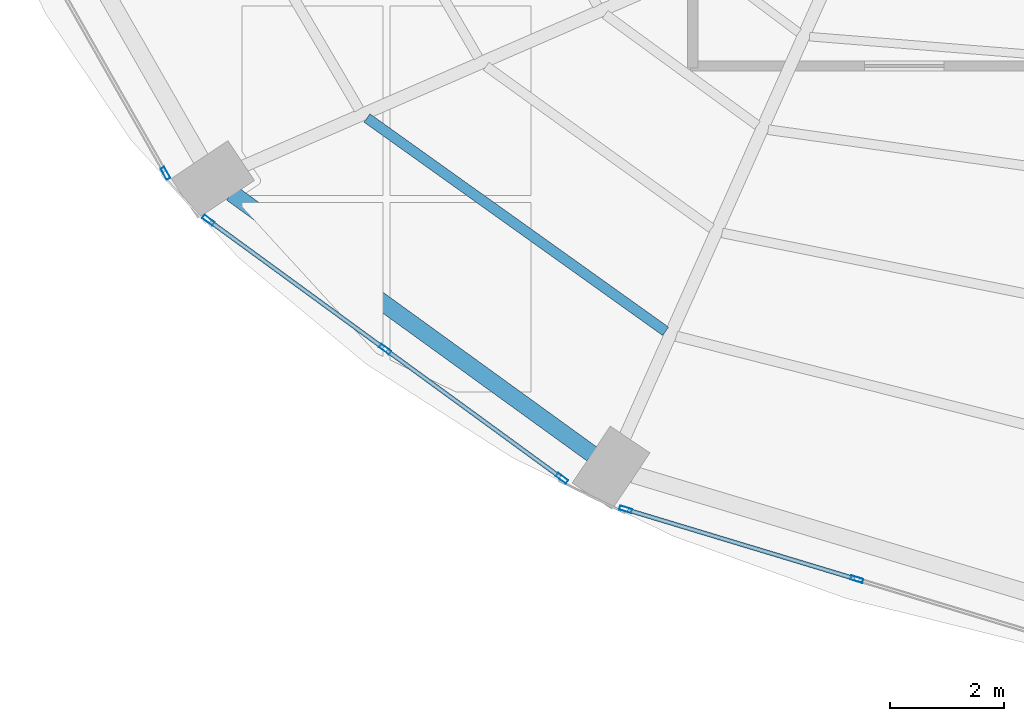
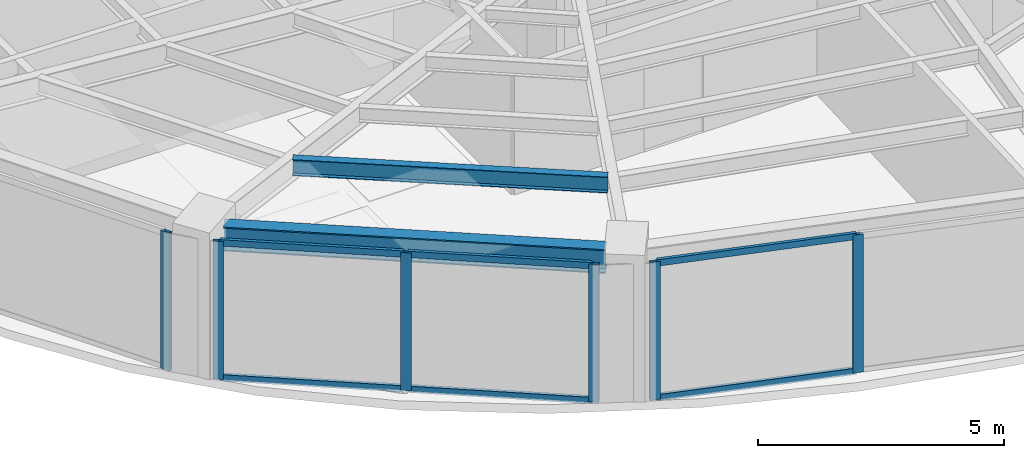
# One storey, part 2 of 23: 12 members, 2 beams, 3 elements without a shape of their own.
"""IFC4 building model written with IfcOpenShell, lengths in metres."""

from ifc_helpers import new_model, si_unit, direction, frame, origin, origin_2d, place, context, subcontext, project, spatial, hollow_rectangle, i_section, extrude, material, layer, layer_set, material_profile, profile_set, type_object, element, aggregate, save


model = new_model("IFC4")

# Units and contexts
model_context = context("Model", 3, precision=1e-05, world=origin(), true_north=direction((0.0, 1.0)))
body_context = subcontext(model_context, "Body", "Model", "MODEL_VIEW")
ifc_project = project(units=[si_unit("LENGTHUNIT", "METRE"), si_unit("AREAUNIT", "SQUARE_METRE"), si_unit("VOLUMEUNIT", "CUBIC_METRE"), si_unit("PLANEANGLEUNIT", "RADIAN"), si_unit("MASSUNIT", "GRAM", prefix="KILO")], contexts=[model_context])

# Site, building, storey
site_placement = place(None, origin())
site = spatial("IfcSite", under=ifc_project, at=site_placement, CompositionType="ELEMENT")
building_placement = place(site_placement, origin())
building = spatial("IfcBuilding", under=site, at=building_placement, Name="Lazwardi Medical Tower", CompositionType="ELEMENT")
storey_placement = place(building_placement, frame((0.0, 0.0, 107.280029296875)))
storey = spatial("IfcBuildingStorey", under=building, at=storey_placement, Name="L27", CompositionType="ELEMENT", Elevation=107.280029296875)

# Beams
ifc_material_1 = material(Name="Steel S355", Category="steel")
ifc_material_profile_1 = material_profile(ifc_material_1, i_section(OverallWidth=0.300048828125, OverallDepth=0.60009765625, WebThickness=0.015380859375, FlangeThickness=0.030029296875, at=origin_2d()), Name="HEB 600")
ifc_profile_set_1 = profile_set([ifc_material_profile_1], Name="Steel S355")
beam_type_1 = type_object("IfcBeamType", Name="BM-RB-Z2", PredefinedType="BEAM", material=ifc_profile_set_1)
beam_1_placement = place(storey_placement, frame((15.25439453125, 15.164794921875, 3.1279296875), z_axis=(0.81005674773, -0.586351486275, 0.0), x_axis=(0.586351486275, 0.81005674773, 0.0)))
element("IfcBeam", 1, at=beam_1_placement, inside=storey, type_object=beam_type_1, Name="Ring beam RB-03 B14 L27", PredefinedType="BEAM", context=body_context, shape_type="SweptSolid", body=[
    extrude(i_section(OverallWidth=0.300048828125, OverallDepth=0.60009765625, WebThickness=0.015380859375, FlangeThickness=0.030029296875, at=origin_2d()), origin(), (0.0, 0.0, 1.0), 7.81396484375),
])
ifc_material_profile_2 = material_profile(ifc_material_1, i_section(OverallWidth=0.179931640625, OverallDepth=0.39990234375, WebThickness=0.008544921875, FlangeThickness=0.013427734375, at=origin_2d()), Name="IPE 400")
ifc_profile_set_2 = profile_set([ifc_material_profile_2], Name="Steel S355")
beam_type_2 = type_object("IfcBeamType", Name="BM-SJ-01", PredefinedType="JOIST", material=ifc_profile_set_2)
beam_2_placement = place(storey_placement, frame((17.630615234375, 16.485595703125, 3.22802734375), z_axis=(0.813748834317, -0.581216684763, 0.0), x_axis=(0.581216684763, 0.813748834317, 0.0)))
element("IfcBeam", 2, at=beam_2_placement, inside=storey, type_object=beam_type_2, Name="Secondary joist SJ-01 R1 B14 L27", PredefinedType="JOIST", context=body_context, shape_type="SweptSolid", body=[
    extrude(i_section(OverallWidth=0.179931640625, OverallDepth=0.39990234375, WebThickness=0.008544921875, FlangeThickness=0.013427734375, at=origin_2d()), origin(), (0.0, 0.0, 1.0), 6.4423828125),
])

# Curtain wall, member
ifc_material_2 = material(Name="Anodised bronze aluminium and solar control glazing", Category="aluminium")
ifc_layer = layer(ifc_material_2, 0.195068359375)
ifc_layer_set = layer_set([ifc_layer], Name="Anodised bronze aluminium and solar control glazing")
curtain_wall_type = type_object("IfcCurtainWallType", Name="CW-SYS-03", PredefinedType="NOTDEFINED", material=ifc_layer_set)
curtain_wall_1_placement = place(storey_placement, origin())
curtain_wall_1 = element("IfcCurtainWall", 3, at=curtain_wall_1_placement, inside=storey, type_object=curtain_wall_type, Name="L27 Unitised bronze curtain wall CW-03", PredefinedType="NOTDEFINED")
ifc_material_3 = material(Name="Anodised bronze aluminium", Category="aluminium")
ifc_material_profile_3 = material_profile(ifc_material_3, hollow_rectangle(XDim=0.074951171875, YDim=0.219970703125, WallThickness=0.00390625, at=origin_2d()), Name="ALU-MULLION 220x75x4")
ifc_profile_set_3 = profile_set([ifc_material_profile_3], Name="Anodised bronze aluminium")
member_type_1 = type_object("IfcMemberType", Name="CW-MUL-01", PredefinedType="MULLION", material=ifc_profile_set_3)
member_1_placement = place(storey_placement, frame((14.0927734375, 15.51416015625, 0.0), z_axis=(0.0, 0.0, 1.0), x_axis=(0.869687265712, 0.493603140041, 0.0)))
member_1 = element("IfcMember", 4, at=member_1_placement, type_object=member_type_1, Name="CW-03 mullion 2", PredefinedType="MULLION", context=body_context, shape_type="SweptSolid", body=[
    extrude(hollow_rectangle(XDim=0.074951171875, YDim=0.219970703125, WallThickness=0.00390625, at=origin_2d()), origin(), (0.0, 0.0, 1.0), 3.427978515625),
])
aggregate(curtain_wall_1, [member_1])

# Curtain wall, members
curtain_wall_2_placement = place(storey_placement, origin())
curtain_wall_2 = element("IfcCurtainWall", 5, at=curtain_wall_2_placement, inside=storey, type_object=curtain_wall_type, Name="L27 Unitised bronze curtain wall CW-03", PredefinedType="NOTDEFINED")
member_2_placement = place(storey_placement, frame((14.844970703125, 14.691162109375, 0.0), z_axis=(0.0, 0.0, 1.0), x_axis=(0.589530882802, 0.807745837639, 0.0)))
member_2 = element("IfcMember", 6, at=member_2_placement, type_object=member_type_1, Name="CW-03 mullion 1", PredefinedType="MULLION", context=body_context, shape_type="SweptSolid", body=[
    extrude(hollow_rectangle(XDim=0.074951171875, YDim=0.219970703125, WallThickness=0.00390625, at=origin_2d()), origin(), (0.0, 0.0, 1.0), 3.427978515625),
])
member_3_placement = place(storey_placement, frame((17.948974609375, 12.42578125, 0.0), z_axis=(0.0, 0.0, 1.0), x_axis=(0.589530882802, 0.807745837639, 0.0)))
member_3 = element("IfcMember", 7, at=member_3_placement, type_object=member_type_1, Name="CW-03 mullion 2", PredefinedType="MULLION", context=body_context, shape_type="SweptSolid", body=[
    extrude(hollow_rectangle(XDim=0.074951171875, YDim=0.219970703125, WallThickness=0.00390625, at=origin_2d()), origin(), (0.0, 0.0, 1.0), 3.427978515625),
])
member_4_placement = place(storey_placement, frame((21.052734375, 10.160400390625, 0.0), z_axis=(0.0, 0.0, 1.0), x_axis=(0.589530882802, 0.807745837639, 0.0)))
member_4 = element("IfcMember", 8, at=member_4_placement, type_object=member_type_1, Name="CW-03 mullion 3", PredefinedType="MULLION", context=body_context, shape_type="SweptSolid", body=[
    extrude(hollow_rectangle(XDim=0.074951171875, YDim=0.219970703125, WallThickness=0.00390625, at=origin_2d()), origin(), (0.0, 0.0, 1.0), 3.427978515625),
])

curtain_wall_3_placement = place(storey_placement, origin())
curtain_wall_3 = element("IfcCurtainWall", 9, at=curtain_wall_3_placement, inside=storey, type_object=curtain_wall_type, Name="L27 Unitised bronze curtain wall CW-03", PredefinedType="NOTDEFINED")
member_5_placement = place(storey_placement, frame((22.171630859375, 9.614013671875, 0.0), z_axis=(0.0, 0.0, 1.0), x_axis=(0.28937381157, 0.957216170558, 0.0)))
member_5 = element("IfcMember", 10, at=member_5_placement, type_object=member_type_1, Name="CW-03 mullion 1", PredefinedType="MULLION", context=body_context, shape_type="SweptSolid", body=[
    extrude(hollow_rectangle(XDim=0.074951171875, YDim=0.219970703125, WallThickness=0.00390625, at=origin_2d()), origin(), (0.0, 0.0, 1.0), 3.427978515625),
])
member_6_placement = place(storey_placement, frame((26.230712890625, 8.386962890625, 0.0), z_axis=(0.0, 0.0, 1.0), x_axis=(0.28937381157, 0.957216170558, 0.0)))
member_6 = element("IfcMember", 11, at=member_6_placement, type_object=member_type_1, Name="CW-03 mullion 2", PredefinedType="MULLION", context=body_context, shape_type="SweptSolid", body=[
    extrude(hollow_rectangle(XDim=0.074951171875, YDim=0.219970703125, WallThickness=0.00390625, at=origin_2d()), origin(), (0.0, 0.0, 1.0), 3.427978515625),
])

# Member
ifc_material_profile_4 = material_profile(ifc_material_3, hollow_rectangle(XDim=0.074951171875, YDim=0.159912109375, WallThickness=0.00390625, at=origin_2d()), Name="ALU-TRANSOM 160x75x4")
ifc_profile_set_4 = profile_set([ifc_material_profile_4], Name="Anodised bronze aluminium")
member_type_2 = type_object("IfcMemberType", Name="CW-TRN-01", PredefinedType="USERDEFINED", material=ifc_profile_set_4)
member_7_placement = place(storey_placement, frame((14.87548828125, 14.6689453125, 0.037353515625), z_axis=(0.807731734271, -0.589550206049, 0.0), x_axis=(0.589550206049, 0.807731734271, 0.0)))
member_7 = element("IfcMember", 12, at=member_7_placement, type_object=member_type_2, Name="CW-03 transom 1.1", ObjectType="TRANSOM", PredefinedType="USERDEFINED", context=body_context, shape_type="SweptSolid", body=[
    extrude(hollow_rectangle(XDim=0.074951171875, YDim=0.159912109375, WallThickness=0.00390625, at=origin_2d()), origin(), (0.0, 0.0, 1.0), 3.767578125),
])

member_8_placement = place(storey_placement, frame((14.87548828125, 14.6689453125, 3.390380859375), z_axis=(0.807731734271, -0.589550206049, 0.0), x_axis=(0.589550206049, 0.807731734271, 0.0)))
member_8 = element("IfcMember", 13, at=member_8_placement, type_object=member_type_2, Name="CW-03 transom 1.2", ObjectType="TRANSOM", PredefinedType="USERDEFINED", context=body_context, shape_type="SweptSolid", body=[
    extrude(hollow_rectangle(XDim=0.074951171875, YDim=0.159912109375, WallThickness=0.00390625, at=origin_2d()), origin(), (0.0, 0.0, 1.0), 3.767578125),
])

member_9_placement = place(storey_placement, frame((17.979248046875, 12.403564453125, 0.037353515625), z_axis=(0.80776259199, -0.58950792614, 0.0), x_axis=(0.58950792614, 0.80776259199, 0.0)))
member_9 = element("IfcMember", 14, at=member_9_placement, type_object=member_type_2, Name="CW-03 transom 2.1", ObjectType="TRANSOM", PredefinedType="USERDEFINED", context=body_context, shape_type="SweptSolid", body=[
    extrude(hollow_rectangle(XDim=0.074951171875, YDim=0.159912109375, WallThickness=0.00390625, at=origin_2d()), origin(), (0.0, 0.0, 1.0), 3.767578125),
])

member_10_placement = place(storey_placement, frame((17.979248046875, 12.403564453125, 3.390380859375), z_axis=(0.80776259199, -0.58950792614, 0.0), x_axis=(0.58950792614, 0.80776259199, 0.0)))
member_10 = element("IfcMember", 15, at=member_10_placement, type_object=member_type_2, Name="CW-03 transom 2.2", ObjectType="TRANSOM", PredefinedType="USERDEFINED", context=body_context, shape_type="SweptSolid", body=[
    extrude(hollow_rectangle(XDim=0.074951171875, YDim=0.159912109375, WallThickness=0.00390625, at=origin_2d()), origin(), (0.0, 0.0, 1.0), 3.767578125),
])

aggregate(curtain_wall_2, [member_2, member_3, member_4, member_7, member_8, member_9, member_10])

member_11_placement = place(storey_placement, frame((22.20751953125, 9.603271484375, 0.037353515625), z_axis=(0.957204630929, -0.289411980623, 0.0), x_axis=(0.289411980623, 0.957204630929, 0.0)))
member_11 = element("IfcMember", 16, at=member_11_placement, type_object=member_type_2, Name="CW-03 transom 1.1", ObjectType="TRANSOM", PredefinedType="USERDEFINED", context=body_context, shape_type="SweptSolid", body=[
    extrude(hollow_rectangle(XDim=0.074951171875, YDim=0.159912109375, WallThickness=0.00390625, at=origin_2d()), origin(), (0.0, 0.0, 1.0), 4.16552734375),
])

member_12_placement = place(storey_placement, frame((22.20751953125, 9.603271484375, 3.390380859375), z_axis=(0.957204630929, -0.289411980623, 0.0), x_axis=(0.289411980623, 0.957204630929, 0.0)))
member_12 = element("IfcMember", 17, at=member_12_placement, type_object=member_type_2, Name="CW-03 transom 1.2", ObjectType="TRANSOM", PredefinedType="USERDEFINED", context=body_context, shape_type="SweptSolid", body=[
    extrude(hollow_rectangle(XDim=0.074951171875, YDim=0.159912109375, WallThickness=0.00390625, at=origin_2d()), origin(), (0.0, 0.0, 1.0), 4.16552734375),
])

aggregate(curtain_wall_3, [member_5, member_6, member_11, member_12])

save(model, "model.ifc")
